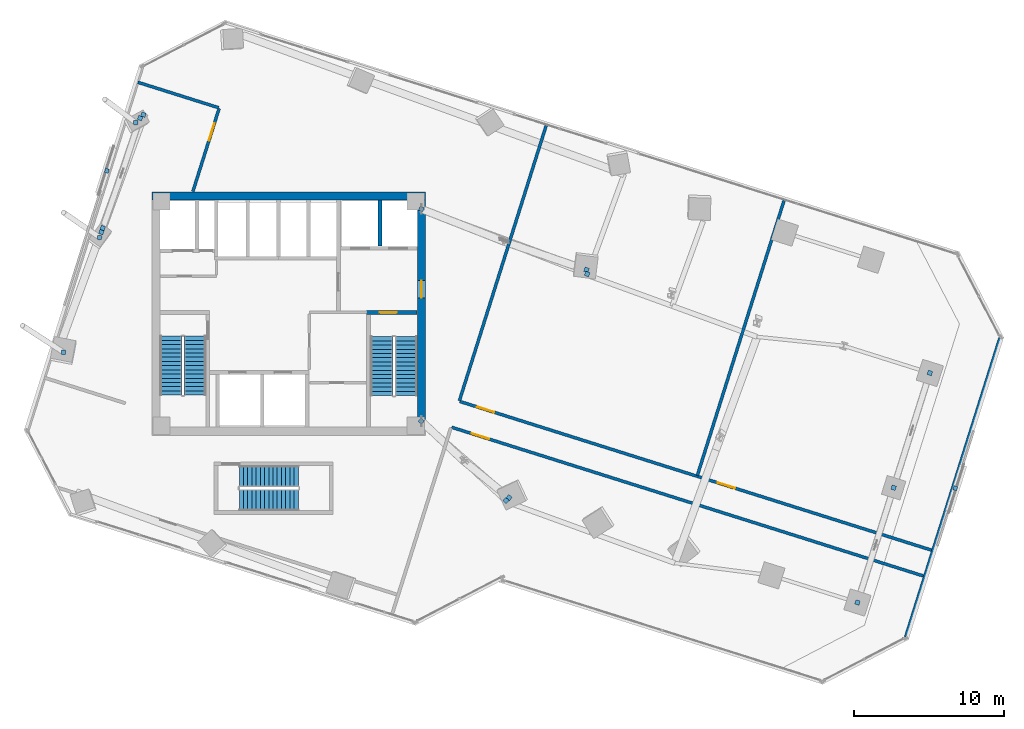
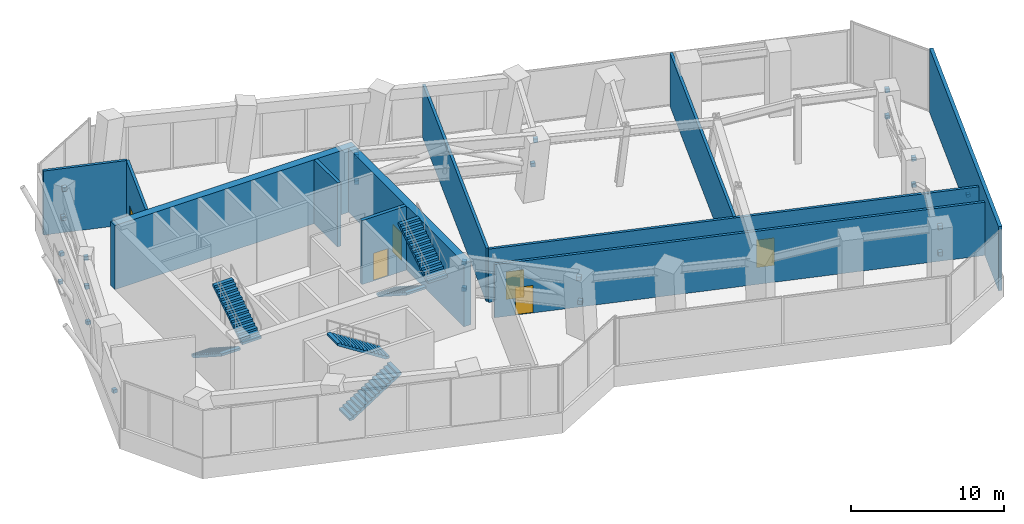
# One storey, part 24 of 29: 23 discrete accessories, 11 walls, 6 doors, 6 stair flights, 6 openings, 3 elements without a shape of their own.
"""IFC4 building model written with IfcOpenShell, lengths in metres."""

from ifc_helpers import new_model, si_unit, direction, frame, frame_2d, origin, origin_2d, place, context, subcontext, project, spatial, polyline, rectangle, outline, extrude, source, transform, mapped, material, layer, layer_set, type_object, element, fill, aggregate, save


model = new_model("IFC4")

# Units and contexts
model_context = context("Model", 3, precision=1e-05, world=origin(), true_north=direction((0.0, 1.0)))
body_context = subcontext(model_context, "Body", "Model", "MODEL_VIEW")
ifc_project = project(units=[si_unit("LENGTHUNIT", "METRE"), si_unit("AREAUNIT", "SQUARE_METRE"), si_unit("VOLUMEUNIT", "CUBIC_METRE"), si_unit("PLANEANGLEUNIT", "RADIAN"), si_unit("MASSUNIT", "GRAM", prefix="KILO")], contexts=[model_context])

# Site, building, storey
site_placement = place(None, origin())
site = spatial("IfcSite", under=ifc_project, at=site_placement, CompositionType="ELEMENT")
building_placement = place(site_placement, origin())
building = spatial("IfcBuilding", under=site, at=building_placement, Name="Torre Montelarca", CompositionType="ELEMENT")
storey_placement = place(building_placement, frame((0.0, 0.0, 122.199951171875)))
storey = spatial("IfcBuildingStorey", under=building, at=storey_placement, Name="L27", CompositionType="ELEMENT", Elevation=122.199951171875)

# Wall, opening, door
ifc_material_1 = material(Name="Concrete C40/50", Category="concrete")
ifc_layer_1 = layer(ifc_material_1, 0.25, Name="Concrete C40/50", Category="concrete")
ifc_layer_set_1 = layer_set([ifc_layer_1], Name="Concrete C40/50")
wall_type_1 = type_object("IfcWallType", Name="CW-SHAFT-250", PredefinedType="SHEAR", material=ifc_layer_set_1)
wall_1_placement = place(storey_placement, frame((23.18994140625, 32.074951171875, 0.0), z_axis=(0.0, 0.0, 1.0), x_axis=(1.0, 0.0, 0.0)))
wall_1 = element("IfcWall", 1, at=wall_1_placement, inside=storey, type_object=wall_type_1, Name="L27 Core Shear Wall SH-ST2-N", PredefinedType="SHEAR", context=body_context, shape_type="SweptSolid", body=[
    extrude(rectangle(XDim=3.35009765625, YDim=0.25, at=frame_2d((1.675048828125, 0.0))), origin(), (0.0, 0.0, 1.0), 5.1201171875),
])
opening_1_placement = place(wall_1_placement, frame((0.85009765625, 0.0, 0.0)))
opening_1 = element("IfcOpeningElement", 2, at=opening_1_placement, cuts=wall_1, Name="Opening FD-ST1", PredefinedType="OPENING", context=body_context, shape_type="SweptSolid", body=[
    extrude(rectangle(XDim=1.14990234375, YDim=2.199951171875, at=frame_2d((0.574951171875, 1.10009765625))), frame((0.0, 0.135009765625, 0.0), z_axis=(0.0, -1.0, 0.0), x_axis=(1.0, 0.0, 0.0)), (0.0, 0.0, 1.0), 0.27001953125),
])
ifc_material_2 = material(Name="Galvanized steel fire door", Category="steel")
door_type_1 = type_object("IfcDoorType", Name="DR-STAIR-115", OperationType="NOTDEFINED", PredefinedType="DOOR", material=ifc_material_2)
shared_shape_1 = source(origin(), body_context, "Body", "SweptSolid", [
    extrude(rectangle(XDim=1.14990234375, YDim=2.199951171875, at=frame_2d((0.574951171875, 1.10009765625))), frame((0.0, 0.02490234375, 0.0), z_axis=(0.0, -1.0, 0.0), x_axis=(1.0, 0.0, 0.0)), (0.0, 0.0, 1.0), 0.050048828125),
])
door_1_placement = place(opening_1_placement, origin())
door_1 = element("IfcDoor", 3, at=door_1_placement, inside=storey, type_object=door_type_1, Name="L27 Exit Stair ST2 Fire Door", OperationType="SINGLE_SWING_RIGHT", OverallHeight=2.199951171875, OverallWidth=1.14990234375, PredefinedType="DOOR", context=body_context, shape_type="MappedRepresentation", body=[
    mapped(shared_shape_1, transform((0.0, 0.0, 0.0), scale=1.0)),
])
fill(opening_1, door_1)

# Wall
wall_2_placement = place(storey_placement, frame((24.080078125, 36.47998046875, 0.0), z_axis=(0.0, 0.0, 1.0), x_axis=(0.0, 1.0, 0.0)))
element("IfcWall", 4, at=wall_2_placement, inside=storey, type_object=wall_type_1, Name="L27 Core Shear Wall SH-FF-M", PredefinedType="SHEAR", context=body_context, shape_type="SweptSolid", body=[
    extrude(rectangle(XDim=3.06005859375, YDim=0.25, at=frame_2d((1.530029296875, 0.0))), origin(), (0.0, 0.0, 1.0), 5.1201171875),
])

# Wall, opening, door
ifc_material_3 = material(Name="Concrete C70/85", Category="concrete")
ifc_layer_2 = layer(ifc_material_3, 0.550048828125, Name="Concrete C70/85", Category="concrete")
ifc_layer_set_2 = layer_set([ifc_layer_2], Name="Concrete C70/85")
wall_type_2 = type_object("IfcWallType", Name="CW-SHEAR-550", PredefinedType="SHEAR", material=ifc_layer_set_2)
wall_3_placement = place(storey_placement, frame((26.824951171875, 24.449951171875, 0.0), z_axis=(0.0, 0.0, 1.0), x_axis=(0.0, 1.0, 0.0)))
wall_3 = element("IfcWall", 5, at=wall_3_placement, inside=storey, type_object=wall_type_2, Name="L27 Core Shear Wall CW-E", PredefinedType="SHEAR", context=body_context, shape_type="SweptSolid", body=[
    extrude(rectangle(XDim=15.10009765625, YDim=0.550048828125, at=frame_2d((7.550048828125, 0.0))), origin(), (0.0, 0.0, 1.0), 5.1201171875),
])
opening_2_placement = place(wall_3_placement, frame((8.60009765625, 0.0, 0.0)))
opening_2 = element("IfcOpeningElement", 6, at=opening_2_placement, cuts=wall_3, Name="Opening FD-LB1", PredefinedType="OPENING", context=body_context, shape_type="SweptSolid", body=[
    extrude(rectangle(XDim=1.14990234375, YDim=2.199951171875, at=frame_2d((0.574951171875, 1.10009765625))), frame((0.0, 0.28515625, 0.0), z_axis=(0.0, -1.0, 0.0), x_axis=(1.0, 0.0, 0.0)), (0.0, 0.0, 1.0), 0.570068359375),
])
ifc_material_4 = material(Name="Acoustic timber-veneered fire door", Category="wood")
door_type_2 = type_object("IfcDoorType", Name="DR-LOBBY-115", OperationType="NOTDEFINED", PredefinedType="DOOR", material=ifc_material_4)
shared_shape_2 = source(origin(), body_context, "Body", "SweptSolid", [
    extrude(rectangle(XDim=1.14990234375, YDim=2.199951171875, at=frame_2d((0.574951171875, 1.10009765625))), frame((0.0, 0.02490234375, 0.0), z_axis=(0.0, -1.0, 0.0), x_axis=(1.0, 0.0, 0.0)), (0.0, 0.0, 1.0), 0.050048828125),
])
door_2_placement = place(opening_2_placement, origin())
door_2 = element("IfcDoor", 7, at=door_2_placement, inside=storey, type_object=door_type_2, Name="L27 Firefighting Lift Lobby Corridor Fire Door", OperationType="SINGLE_SWING_RIGHT", OverallHeight=2.199951171875, OverallWidth=1.14990234375, PredefinedType="DOOR", context=body_context, shape_type="MappedRepresentation", body=[
    mapped(shared_shape_2, transform((0.0, 0.0, 0.0), scale=1.0)),
])
fill(opening_2, door_2)

# Walls
wall_4_placement = place(storey_placement, frame((8.89990234375, 39.824951171875, 0.0), z_axis=(0.0, 0.0, 1.0), x_axis=(1.0, 0.0, 0.0)))
element("IfcWall", 8, at=wall_4_placement, inside=storey, type_object=wall_type_2, Name="L27 Core Shear Wall CW-N1", PredefinedType="SHEAR", context=body_context, shape_type="SweptSolid", body=[
    extrude(rectangle(XDim=18.2001953125, YDim=0.550048828125, at=frame_2d((9.10009765625, 0.0))), origin(), (0.0, 0.0, 1.0), 5.1201171875),
])
ifc_material_5 = material(Name="Precast concrete C45/55", Category="concrete")
ifc_layer_3 = layer(ifc_material_5, 0.25, Name="Precast concrete C45/55", Category="concrete")
ifc_layer_set_3 = layer_set([ifc_layer_3], Name="Precast concrete C45/55")
wall_type_3 = type_object("IfcWallType", Name="EW-CONC-250", PredefinedType="SOLIDWALL", material=ifc_layer_set_3)
wall_5_placement = place(storey_placement, frame((59.036865234375, 10.482421875, 0.0), z_axis=(0.0, 0.0, 1.0), x_axis=(0.300700770817, 0.953718536273, 0.0)))
element("IfcWall", 9, at=wall_5_placement, inside=storey, type_object=wall_type_3, Name="L27 Mechanical Belt-Truss Louvre Wall E06", PredefinedType="SOLIDWALL", context=body_context, shape_type="SweptSolid", body=[
    extrude(rectangle(XDim=20.868408203125, YDim=0.25, at=frame_2d((10.43408203125, 0.0))), origin(), (0.0, 0.0, 1.0), 5.1201171875),
])

# Wall, opening, door
ifc_material_6 = material(Name="Gypsum fireboard and rockwool on steel stud", Category="steel")
ifc_layer_4 = layer(ifc_material_6, 0.199951171875, Name="Gypsum fireboard and rockwool on steel stud", Category="steel")
ifc_layer_set_4 = layer_set([ifc_layer_4], Name="Gypsum fireboard and rockwool on steel stud")
wall_type_4 = type_object("IfcWallType", Name="PW-FIRE-200", PredefinedType="SOLIDWALL", material=ifc_layer_set_4)
wall_6_placement = place(storey_placement, frame((28.83740234375, 24.44384765625, 0.0), z_axis=(0.0, 0.0, 1.0), x_axis=(0.953717618417, -0.300703681921, 0.0)))
wall_6 = element("IfcWall", 10, at=wall_6_placement, inside=storey, type_object=wall_type_4, Name="L27 Interior Partition W-L27-CHILN", PredefinedType="SOLIDWALL", context=body_context, shape_type="SweptSolid", body=[
    extrude(rectangle(XDim=32.949951171875, YDim=0.199951171875, at=frame_2d((16.47509765625, 0.0))), origin(), (0.0, 0.0, 1.0), 4.255126953125),
])
opening_3_placement = place(wall_6_placement, frame((1.39990234375, 0.0, 0.0)))
opening_3 = element("IfcOpeningElement", 11, at=opening_3_placement, cuts=wall_6, Name="Opening FD-120", PredefinedType="OPENING", context=body_context, shape_type="SweptSolid", body=[
    extrude(rectangle(XDim=1.199951171875, YDim=2.199951171875, at=frame_2d((0.60009765625, 1.10009765625))), frame((0.0, 0.10986328125, 0.0), z_axis=(0.0, -1.0, 0.0), x_axis=(1.0, 0.0, 0.0)), (0.0, 0.0, 1.0), 0.219970703125),
])
door_type_3 = type_object("IfcDoorType", Name="DR-FIRE-120", OperationType="NOTDEFINED", PredefinedType="DOOR", material=ifc_material_2)
shared_shape_3 = source(origin(), body_context, "Body", "SweptSolid", [
    extrude(rectangle(XDim=1.199951171875, YDim=2.199951171875, at=frame_2d((0.60009765625, 1.10009765625))), frame((0.0, 0.02490234375, 0.0), z_axis=(0.0, -1.0, 0.0), x_axis=(1.0, 0.0, 0.0)), (0.0, 0.0, 1.0), 0.050048828125),
])
door_3_placement = place(opening_3_placement, origin())
door_3 = element("IfcDoor", 12, at=door_3_placement, inside=storey, type_object=door_type_3, Name="L27 Interior Door 05", OperationType="SINGLE_SWING_RIGHT", OverallHeight=2.199951171875, OverallWidth=1.199951171875, PredefinedType="DOOR", context=body_context, shape_type="MappedRepresentation", body=[
    mapped(shared_shape_3, transform((0.0, 0.0, 0.0), scale=1.0)),
])
fill(opening_3, door_3)

# Wall
wall_7_placement = place(storey_placement, frame((29.3525390625, 26.210693359375, 0.0), z_axis=(0.0, 0.0, 1.0), x_axis=(0.30070490737, 0.953717232037, 0.0)))
element("IfcWall", 13, at=wall_7_placement, inside=storey, type_object=wall_type_4, Name="L27 Interior Partition W-L27-PAHUW", PredefinedType="SOLIDWALL", context=body_context, shape_type="SweptSolid", body=[
    extrude(rectangle(XDim=19.18017578125, YDim=0.199951171875, at=frame_2d((9.590087890625, 0.0))), origin(), (0.0, 0.0, 1.0), 4.255126953125),
])

# Wall, openings, doors
wall_8_placement = place(storey_placement, frame((29.378662109375, 26.16064453125, 0.0), z_axis=(0.0, 0.0, 1.0), x_axis=(0.953715493479, -0.300710421334, 0.0)))
wall_8 = element("IfcWall", 14, at=wall_8_placement, inside=storey, type_object=wall_type_4, Name="L27 Interior Partition W-L27-AHUS", PredefinedType="SOLIDWALL", context=body_context, shape_type="SweptSolid", body=[
    extrude(rectangle(XDim=32.9501953125, YDim=0.199951171875, at=frame_2d((16.47509765625, 0.0))), origin(), (0.0, 0.0, 1.0), 4.255126953125),
])
opening_4_placement = place(wall_8_placement, frame((1.199951171875, 0.0, 0.0)))
opening_4 = element("IfcOpeningElement", 15, at=opening_4_placement, cuts=wall_8, Name="Opening FD-120", PredefinedType="OPENING", context=body_context, shape_type="SweptSolid", body=[
    extrude(rectangle(XDim=1.199951171875, YDim=2.199951171875, at=frame_2d((0.60009765625, 1.10009765625))), frame((0.0, 0.10986328125, 0.0), z_axis=(0.0, -1.0, 0.0), x_axis=(1.0, 0.0, 0.0)), (0.0, 0.0, 1.0), 0.219970703125),
])
opening_5_placement = place(wall_8_placement, frame((17.97998046875, 0.0, 0.0)))
opening_5 = element("IfcOpeningElement", 16, at=opening_5_placement, cuts=wall_8, Name="Opening FD-120", PredefinedType="OPENING", context=body_context, shape_type="SweptSolid", body=[
    extrude(rectangle(XDim=1.199951171875, YDim=2.199951171875, at=frame_2d((0.60009765625, 1.10009765625))), frame((0.0, 0.10986328125, 0.0), z_axis=(0.0, -1.0, 0.0), x_axis=(1.0, 0.0, 0.0)), (0.0, 0.0, 1.0), 0.219970703125),
])
door_4_placement = place(opening_4_placement, origin())
door_4 = element("IfcDoor", 17, at=door_4_placement, inside=storey, type_object=door_type_3, Name="L27 Interior Door 06", OperationType="SINGLE_SWING_RIGHT", OverallHeight=2.199951171875, OverallWidth=1.199951171875, PredefinedType="DOOR", context=body_context, shape_type="MappedRepresentation", body=[
    mapped(shared_shape_3, transform((0.0, 0.0, 0.0), scale=1.0)),
])
fill(opening_4, door_4)
door_5_placement = place(opening_5_placement, origin())
door_5 = element("IfcDoor", 18, at=door_5_placement, inside=storey, type_object=door_type_3, Name="L27 Interior Door 07", OperationType="SINGLE_SWING_LEFT", OverallHeight=2.199951171875, OverallWidth=1.199951171875, PredefinedType="DOOR", context=body_context, shape_type="MappedRepresentation", body=[
    mapped(shared_shape_3, transform((0.0, 0.0, 0.0), scale=1.0)),
])
fill(opening_5, door_5)

# Walls
wall_9_placement = place(storey_placement, frame((45.165283203125, 21.22509765625, 0.0), z_axis=(0.0, 0.0, 1.0), x_axis=(0.300708557869, 0.953716081035, 0.0)))
element("IfcWall", 19, at=wall_9_placement, inside=storey, type_object=wall_type_4, Name="L27 Interior Partition W-L27-AHUD", PredefinedType="SOLIDWALL", context=body_context, shape_type="SweptSolid", body=[
    extrude(rectangle(XDim=19.179931640625, YDim=0.199951171875, at=frame_2d((9.58984375, 0.0))), origin(), (0.0, 0.0, 1.0), 4.255126953125),
])
wall_10_placement = place(storey_placement, frame((7.978271484375, 47.377685546875, 0.0), z_axis=(0.0, 0.0, 1.0), x_axis=(0.953725426277, -0.300678917241, 0.0)))
element("IfcWall", 20, at=wall_10_placement, inside=storey, type_object=wall_type_4, Name="L27 Interior Partition W-L27-ELECN", PredefinedType="SOLIDWALL", context=body_context, shape_type="SweptSolid", body=[
    extrude(rectangle(XDim=5.630126953125, YDim=0.199951171875, at=frame_2d((2.81494140625, 0.0))), origin(), (0.0, 0.0, 1.0), 5.1201171875),
])

# Wall, opening, door
wall_11_placement = place(storey_placement, frame((11.634521484375, 40.1181640625, 0.0), z_axis=(0.0, 0.0, 1.0), x_axis=(0.300686932812, 0.953722899188, 0.0)))
wall_11 = element("IfcWall", 21, at=wall_11_placement, inside=storey, type_object=wall_type_4, Name="L27 Interior Partition W-L27-ELECE", PredefinedType="SOLIDWALL", context=body_context, shape_type="SweptSolid", body=[
    extrude(rectangle(XDim=5.7841796875, YDim=0.199951171875, at=frame_2d((2.89208984375, 0.0))), origin(), (0.0, 0.0, 1.0), 5.1201171875),
])
opening_6_placement = place(wall_11_placement, frame((3.56005859375, 0.0, 0.0)))
opening_6 = element("IfcOpeningElement", 22, at=opening_6_placement, cuts=wall_11, Name="Opening FD-120", PredefinedType="OPENING", context=body_context, shape_type="SweptSolid", body=[
    extrude(rectangle(XDim=1.199951171875, YDim=2.199951171875, at=frame_2d((0.60009765625, 1.10009765625))), frame((0.0, 0.10986328125, 0.0), z_axis=(0.0, -1.0, 0.0), x_axis=(1.0, 0.0, 0.0)), (0.0, 0.0, 1.0), 0.219970703125),
])
door_6_placement = place(opening_6_placement, origin())
door_6 = element("IfcDoor", 23, at=door_6_placement, inside=storey, type_object=door_type_3, Name="L27 Interior Door 08", OperationType="SINGLE_SWING_RIGHT", OverallHeight=2.199951171875, OverallWidth=1.199951171875, PredefinedType="DOOR", context=body_context, shape_type="MappedRepresentation", body=[
    mapped(shared_shape_3, transform((0.0, 0.0, 0.0), scale=1.0)),
])
fill(opening_6, door_6)

# Stair, stair flights
stair_type_1 = type_object("IfcStairType", Name="ST-CORE-ST1", PredefinedType="HALF_TURN_STAIR", material=ifc_material_1)
stair_1_placement = place(storey_placement, origin())
stair_1 = element("IfcStair", 24, at=stair_1_placement, inside=storey, type_object=stair_type_1, Name="L27 Protected Exit Stair ST1", PredefinedType="HALF_TURN_STAIR")
stair_flight_type_1 = type_object("IfcStairFlightType", Name="SFL-CORE-ST1", PredefinedType="STRAIGHT", material=ifc_material_1)
stair_flight_1_placement = place(storey_placement, frame((10.175048828125, 30.5, 0.0), z_axis=(0.0, 0.0, 1.0), x_axis=(0.0, -1.0, 0.0)))
stair_flight_1 = element("IfcStairFlight", 25, at=stair_flight_1_placement, type_object=stair_flight_type_1, Name="ST1 flight 1", NumberOfRisers=15, NumberOfTreads=14, PredefinedType="STRAIGHT", RiserHeight=0.18, TreadLength=0.28, context=body_context, shape_type="SweptSolid", body=[
    extrude(outline(polyline([(0.0, 0.0), (0.0, 0.179931640625), (0.280029296875, 0.179931640625), (0.280029296875, 0.360107421875), (0.56005859375, 0.360107421875), (0.56005859375, 0.5400390625), (0.840087890625, 0.5400390625), (0.840087890625, 0.719970703125), (1.1201171875, 0.719970703125), (1.1201171875, 0.89990234375), (1.39990234375, 0.89990234375), (1.39990234375, 1.080078125), (1.679931640625, 1.080078125), (1.679931640625, 1.260009765625), (1.9599609375, 1.260009765625), (1.9599609375, 1.43994140625), (2.239990234375, 1.43994140625), (2.239990234375, 1.6201171875), (2.52001953125, 1.6201171875), (2.52001953125, 1.800048828125), (2.800048828125, 1.800048828125), (2.800048828125, 1.97998046875), (3.080078125, 1.97998046875), (3.080078125, 2.159912109375), (3.360107421875, 2.159912109375), (3.360107421875, 2.340087890625), (3.639892578125, 2.340087890625), (3.639892578125, 2.52001953125), (3.919921875, 2.52001953125), (3.919921875, 2.699951171875), (3.919921875, 2.341796875), (0.277099609375, 0.0), (0.0, 0.0)])), frame((0.0, 0.72509765625, 0.0), z_axis=(0.0, -1.0, 0.0), x_axis=(1.0, 0.0, 0.0)), (0.0, 0.0, 1.0), 1.449951171875),
])
stair_flight_2_placement = place(storey_placement, frame((11.77490234375, 26.580078125, 2.699951171875), z_axis=(0.0, 0.0, 1.0), x_axis=(0.0, 1.0, 0.0)))
stair_flight_2 = element("IfcStairFlight", 26, at=stair_flight_2_placement, type_object=stair_flight_type_1, Name="ST1 flight 2", NumberOfRisers=15, NumberOfTreads=14, PredefinedType="STRAIGHT", RiserHeight=0.18, TreadLength=0.28, context=body_context, shape_type="SweptSolid", body=[
    extrude(outline(polyline([(0.0, 0.0), (0.0, 0.179931640625), (0.280029296875, 0.179931640625), (0.280029296875, 0.360107421875), (0.56005859375, 0.360107421875), (0.56005859375, 0.5400390625), (0.840087890625, 0.5400390625), (0.840087890625, 0.719970703125), (1.1201171875, 0.719970703125), (1.1201171875, 0.89990234375), (1.39990234375, 0.89990234375), (1.39990234375, 1.080078125), (1.679931640625, 1.080078125), (1.679931640625, 1.260009765625), (1.9599609375, 1.260009765625), (1.9599609375, 1.43994140625), (2.239990234375, 1.43994140625), (2.239990234375, 1.6201171875), (2.52001953125, 1.6201171875), (2.52001953125, 1.800048828125), (2.800048828125, 1.800048828125), (2.800048828125, 1.97998046875), (3.080078125, 1.97998046875), (3.080078125, 2.159912109375), (3.360107421875, 2.159912109375), (3.360107421875, 2.340087890625), (3.639892578125, 2.340087890625), (3.639892578125, 2.52001953125), (3.919921875, 2.52001953125), (3.919921875, 2.699951171875), (3.919921875, 2.341796875), (0.277099609375, 0.0), (0.0, 0.0)])), frame((0.0, 0.72509765625, 0.0), z_axis=(0.0, -1.0, 0.0), x_axis=(1.0, 0.0, 0.0)), (0.0, 0.0, 1.0), 1.449951171875),
])
aggregate(stair_1, [stair_flight_1, stair_flight_2])

stair_type_2 = type_object("IfcStairType", Name="ST-CORE-ST2", PredefinedType="HALF_TURN_STAIR", material=ifc_material_1)
stair_2_placement = place(storey_placement, origin())
stair_2 = element("IfcStair", 27, at=stair_2_placement, inside=storey, type_object=stair_type_2, Name="L27 Protected Exit Stair ST2", PredefinedType="HALF_TURN_STAIR")
stair_flight_type_2 = type_object("IfcStairFlightType", Name="SFL-CORE-ST2", PredefinedType="STRAIGHT", material=ifc_material_1)
stair_flight_3_placement = place(storey_placement, frame((24.179931640625, 30.469970703125, 0.0), z_axis=(0.0, 0.0, 1.0), x_axis=(0.0, -1.0, 0.0)))
stair_flight_3 = element("IfcStairFlight", 28, at=stair_flight_3_placement, type_object=stair_flight_type_2, Name="ST2 flight 1", NumberOfRisers=15, NumberOfTreads=14, PredefinedType="STRAIGHT", RiserHeight=0.18, TreadLength=0.28, context=body_context, shape_type="SweptSolid", body=[
    extrude(outline(polyline([(0.0, 0.0), (0.0, 0.179931640625), (0.280029296875, 0.179931640625), (0.280029296875, 0.360107421875), (0.56005859375, 0.360107421875), (0.56005859375, 0.5400390625), (0.840087890625, 0.5400390625), (0.840087890625, 0.719970703125), (1.1201171875, 0.719970703125), (1.1201171875, 0.89990234375), (1.39990234375, 0.89990234375), (1.39990234375, 1.080078125), (1.679931640625, 1.080078125), (1.679931640625, 1.260009765625), (1.9599609375, 1.260009765625), (1.9599609375, 1.43994140625), (2.239990234375, 1.43994140625), (2.239990234375, 1.6201171875), (2.52001953125, 1.6201171875), (2.52001953125, 1.800048828125), (2.800048828125, 1.800048828125), (2.800048828125, 1.97998046875), (3.080078125, 1.97998046875), (3.080078125, 2.159912109375), (3.360107421875, 2.159912109375), (3.360107421875, 2.340087890625), (3.639892578125, 2.340087890625), (3.639892578125, 2.52001953125), (3.919921875, 2.52001953125), (3.919921875, 2.699951171875), (3.919921875, 2.341796875), (0.277099609375, 0.0), (0.0, 0.0)])), frame((0.0, 0.739990234375, 0.0), z_axis=(0.0, -1.0, 0.0), x_axis=(1.0, 0.0, 0.0)), (0.0, 0.0, 1.0), 1.47998046875),
])
stair_flight_4_placement = place(storey_placement, frame((25.81005859375, 26.550048828125, 2.699951171875), z_axis=(0.0, 0.0, 1.0), x_axis=(0.0, 1.0, 0.0)))
stair_flight_4 = element("IfcStairFlight", 29, at=stair_flight_4_placement, type_object=stair_flight_type_2, Name="ST2 flight 2", NumberOfRisers=15, NumberOfTreads=14, PredefinedType="STRAIGHT", RiserHeight=0.18, TreadLength=0.28, context=body_context, shape_type="SweptSolid", body=[
    extrude(outline(polyline([(0.0, 0.0), (0.0, 0.179931640625), (0.280029296875, 0.179931640625), (0.280029296875, 0.360107421875), (0.56005859375, 0.360107421875), (0.56005859375, 0.5400390625), (0.840087890625, 0.5400390625), (0.840087890625, 0.719970703125), (1.1201171875, 0.719970703125), (1.1201171875, 0.89990234375), (1.39990234375, 0.89990234375), (1.39990234375, 1.080078125), (1.679931640625, 1.080078125), (1.679931640625, 1.260009765625), (1.9599609375, 1.260009765625), (1.9599609375, 1.43994140625), (2.239990234375, 1.43994140625), (2.239990234375, 1.6201171875), (2.52001953125, 1.6201171875), (2.52001953125, 1.800048828125), (2.800048828125, 1.800048828125), (2.800048828125, 1.97998046875), (3.080078125, 1.97998046875), (3.080078125, 2.159912109375), (3.360107421875, 2.159912109375), (3.360107421875, 2.340087890625), (3.639892578125, 2.340087890625), (3.639892578125, 2.52001953125), (3.919921875, 2.52001953125), (3.919921875, 2.699951171875), (3.919921875, 2.341796875), (0.277099609375, 0.0), (0.0, 0.0)])), frame((0.0, 0.739990234375, 0.0), z_axis=(0.0, -1.0, 0.0), x_axis=(1.0, 0.0, 0.0)), (0.0, 0.0, 1.0), 1.47998046875),
])
aggregate(stair_2, [stair_flight_3, stair_flight_4])

stair_type_3 = type_object("IfcStairType", Name="ST-CORE-ST3", PredefinedType="HALF_TURN_STAIR", material=ifc_material_1)
stair_3_placement = place(storey_placement, origin())
stair_3 = element("IfcStair", 30, at=stair_3_placement, inside=storey, type_object=stair_type_3, Name="L27 Low-Rise Exit Stair ST3", PredefinedType="HALF_TURN_STAIR")
stair_flight_type_3 = type_object("IfcStairFlightType", Name="SFL-CORE-ST3", PredefinedType="STRAIGHT", material=ifc_material_1)
stair_flight_5_placement = place(storey_placement, frame((14.719970703125, 19.610107421875, 0.0), z_axis=(0.0, 0.0, 1.0), x_axis=(1.0, 0.0, 0.0)))
stair_flight_5 = element("IfcStairFlight", 31, at=stair_flight_5_placement, type_object=stair_flight_type_3, Name="ST3 flight 1", NumberOfRisers=15, NumberOfTreads=14, PredefinedType="STRAIGHT", RiserHeight=0.18, TreadLength=0.28, context=body_context, shape_type="SweptSolid", body=[
    extrude(outline(polyline([(0.0, 0.0), (0.0, 0.179931640625), (0.280029296875, 0.179931640625), (0.280029296875, 0.360107421875), (0.56005859375, 0.360107421875), (0.56005859375, 0.5400390625), (0.840087890625, 0.5400390625), (0.840087890625, 0.719970703125), (1.1201171875, 0.719970703125), (1.1201171875, 0.89990234375), (1.39990234375, 0.89990234375), (1.39990234375, 1.080078125), (1.679931640625, 1.080078125), (1.679931640625, 1.260009765625), (1.9599609375, 1.260009765625), (1.9599609375, 1.43994140625), (2.239990234375, 1.43994140625), (2.239990234375, 1.6201171875), (2.52001953125, 1.6201171875), (2.52001953125, 1.800048828125), (2.800048828125, 1.800048828125), (2.800048828125, 1.97998046875), (3.080078125, 1.97998046875), (3.080078125, 2.159912109375), (3.360107421875, 2.159912109375), (3.360107421875, 2.340087890625), (3.639892578125, 2.340087890625), (3.639892578125, 2.52001953125), (3.919921875, 2.52001953125), (3.919921875, 2.699951171875), (3.919921875, 2.341796875), (0.277099609375, 0.0), (0.0, 0.0)])), frame((0.0, 0.7099609375, 0.0), z_axis=(0.0, -1.0, 0.0), x_axis=(1.0, 0.0, 0.0)), (0.0, 0.0, 1.0), 1.419921875),
])
stair_flight_6_placement = place(storey_placement, frame((18.639892578125, 21.179931640625, 2.699951171875), z_axis=(0.0, 0.0, 1.0), x_axis=(-1.0, 0.0, 0.0)))
stair_flight_6 = element("IfcStairFlight", 32, at=stair_flight_6_placement, type_object=stair_flight_type_3, Name="ST3 flight 2", NumberOfRisers=15, NumberOfTreads=14, PredefinedType="STRAIGHT", RiserHeight=0.18, TreadLength=0.28, context=body_context, shape_type="SweptSolid", body=[
    extrude(outline(polyline([(0.0, 0.0), (0.0, 0.179931640625), (0.280029296875, 0.179931640625), (0.280029296875, 0.360107421875), (0.56005859375, 0.360107421875), (0.56005859375, 0.5400390625), (0.840087890625, 0.5400390625), (0.840087890625, 0.719970703125), (1.1201171875, 0.719970703125), (1.1201171875, 0.89990234375), (1.39990234375, 0.89990234375), (1.39990234375, 1.080078125), (1.679931640625, 1.080078125), (1.679931640625, 1.260009765625), (1.9599609375, 1.260009765625), (1.9599609375, 1.43994140625), (2.239990234375, 1.43994140625), (2.239990234375, 1.6201171875), (2.52001953125, 1.6201171875), (2.52001953125, 1.800048828125), (2.800048828125, 1.800048828125), (2.800048828125, 1.97998046875), (3.080078125, 1.97998046875), (3.080078125, 2.159912109375), (3.360107421875, 2.159912109375), (3.360107421875, 2.340087890625), (3.639892578125, 2.340087890625), (3.639892578125, 2.52001953125), (3.919921875, 2.52001953125), (3.919921875, 2.699951171875), (3.919921875, 2.341796875), (0.277099609375, 0.0), (0.0, 0.0)])), frame((0.0, 0.7099609375, 0.0), z_axis=(0.0, -1.0, 0.0), x_axis=(1.0, 0.0, 0.0)), (0.0, 0.0, 1.0), 1.419921875),
])
aggregate(stair_3, [stair_flight_5, stair_flight_6])

# Discrete accessories
ifc_material_7 = material(Name="Stainless steel AISI 316", Category="steel")
discrete_accessory_type = type_object("IfcDiscreteAccessoryType", Name="ACC-BRACKET-SS", PredefinedType="BRACKET", material=ifc_material_7)
shared_shape_4 = source(origin(), body_context, "Body", "SweptSolid", [
    extrude(rectangle(XDim=0.280029296875, YDim=0.280029296875, at=origin_2d()), origin(), (0.0, 0.0, 1.0), 0.280029296875),
])
for number, where, z_axis, x_axis, name in (
    (33, (3.024169921875, 29.437255859375, 0.01025390625), (0.0, 0.0, 1.0), (1.0, 0.0, 0.0), "L28 Raker End Connection Bracket W1-FT"),
    (34, (5.429931640625, 37.06689453125, 0.01025390625), (0.0, 0.0, 1.0), (1.0, 0.0, 0.0), "L28 Raker End Connection Bracket W2-FT"),
    (35, (7.83544921875, 44.696533203125, 0.01025390625), (0.0, 0.0, 1.0), (1.0, 0.0, 0.0), "L28 Raker End Connection Bracket W3-FT"),
):
    element("IfcDiscreteAccessory", number, at=place(storey_placement, frame(where, z_axis=z_axis, x_axis=x_axis)), inside=storey, type_object=discrete_accessory_type, Name=name, PredefinedType="BRACKET", context=body_context, shape_type="MappedRepresentation", body=[
        mapped(shared_shape_4, transform((0.0, 0.0, 0.0), scale=1.0)),
    ])
shared_shape_5 = source(origin(), body_context, "Body", "SweptSolid", [
    extrude(rectangle(XDim=0.300048828125, YDim=0.300048828125, at=origin_2d()), origin(), (0.0, 0.0, 1.0), 0.300048828125),
])
for number, where, z_axis, x_axis, name in (
    (36, (26.820068359375, 24.85009765625, 2.60009765625), (0.0, 0.0, 1.0), (-0.753563392302, 0.657375245794, 0.0), "L27 Outrigger End Connection Bracket 1-CB"),
    (37, (26.820068359375, 24.85009765625, 4.7001953125), (0.0, 0.0, 1.0), (-0.753563392302, 0.657375245794, 0.0), "L27 Outrigger End Connection Bracket 1-CT"),
    (38, (32.6513671875, 19.76220703125, 2.60009765625), (0.0, 0.0, 1.0), (-0.753563392302, 0.657375245794, 0.0), "L27 Outrigger End Connection Bracket 1-WB"),
    (39, (32.44384765625, 19.57275390625, 4.7001953125), (0.0, 0.0, 1.0), (-0.753563392302, 0.657375245794, 0.0), "L27 Outrigger End Connection Bracket 1-WT"),
    (40, (26.820068359375, 38.949951171875, 2.60009765625), (0.0, 0.0, 1.0), (-0.938432742561, 0.345461991671, 0.0), "L27 Outrigger End Connection Bracket 2-CB"),
    (41, (26.820068359375, 38.949951171875, 4.7001953125), (0.0, 0.0, 1.0), (-0.938432742561, 0.345461991671, 0.0), "L27 Outrigger End Connection Bracket 2-CT"),
    (42, (37.79931640625, 34.9072265625, 2.60009765625), (0.0, 0.0, 1.0), (-0.938432742561, 0.345461991671, 0.0), "L27 Outrigger End Connection Bracket 2-WB"),
    (43, (37.8486328125, 34.630615234375, 4.7001953125), (0.0, 0.0, 1.0), (-0.938432742561, 0.345461991671, 0.0), "L27 Outrigger End Connection Bracket 2-WT"),
    (44, (5.55029296875, 37.42138671875, 2.60009765625), (0.0, 0.0, 1.0), (0.321769986684, 0.946817868267, 0.0), "L27 Belt-Truss End Connection Bracket 1-B0"),
    (45, (8.1240234375, 44.993896484375, 2.60009765625), (0.0, 0.0, 1.0), (0.321769986684, 0.946817868267, 0.0), "L27 Belt-Truss End Connection Bracket 1-B1"),
    (46, (5.64208984375, 37.692138671875, 4.7001953125), (0.0, 0.0, 1.0), (0.321769986684, 0.946817868267, 0.0), "L27 Belt-Truss End Connection Bracket 1-T0"),
    (47, (8.344482421875, 45.22119140625, 4.7001953125), (0.0, 0.0, 1.0), (0.321769986684, 0.946817868267, 0.0), "L27 Belt-Truss End Connection Bracket 1-T1"),
    (48, (55.8125, 12.793212890625, 2.60009765625), (0.0, 0.0, 1.0), (0.300705799504, 0.953716950748, 0.0), "L27 Belt-Truss End Connection Bracket 2-B0"),
    (49, (58.218017578125, 20.4228515625, 2.60009765625), (0.0, 0.0, 1.0), (0.300705799504, 0.953716950748, 0.0), "L27 Belt-Truss End Connection Bracket 2-B1"),
    (50, (55.8125, 12.793212890625, 4.7001953125), (0.0, 0.0, 1.0), (0.300705799504, 0.953716950748, 0.0), "L27 Belt-Truss End Connection Bracket 2-T0"),
    (51, (58.218017578125, 20.4228515625, 4.7001953125), (0.0, 0.0, 1.0), (0.300705799504, 0.953716950748, 0.0), "L27 Belt-Truss End Connection Bracket 2-T1"),
    (52, (60.623779296875, 28.052490234375, 2.60009765625), (0.0, 0.0, 1.0), (0.300705799504, 0.953716950748, 0.0), "L27 Belt-Truss End Connection Bracket 3-B1"),
    (53, (60.623779296875, 28.052490234375, 4.7001953125), (0.0, 0.0, 1.0), (0.300705799504, 0.953716950748, 0.0), "L27 Belt-Truss End Connection Bracket 3-T1"),
):
    element("IfcDiscreteAccessory", number, at=place(storey_placement, frame(where, z_axis=z_axis, x_axis=x_axis)), inside=storey, type_object=discrete_accessory_type, Name=name, PredefinedType="BRACKET", context=body_context, shape_type="MappedRepresentation", body=[
        mapped(shared_shape_5, transform((0.0, 0.0, 0.0), scale=1.0)),
    ])
shared_shape_6 = source(origin(), body_context, "Body", "SweptSolid", [
    extrude(rectangle(XDim=0.280029296875, YDim=0.260009765625, at=origin_2d()), origin(), (0.0, 0.0, 1.0), 0.239990234375),
])
for number, where, z_axis, x_axis, name in (
    (54, (62.3173828125, 20.388427734375, 0.39990234375), (0.0, 0.0, 1.0), (0.300709128603, 0.953715901081, 0.0), "L27 Solar Screen Support Bracket E6-1"),
    (55, (5.913330078125, 41.493896484375, 0.39990234375), (0.0, 0.0, 1.0), (-0.300709128603, -0.953715901081, 0.0), "L27 Solar Screen Support Bracket E10-1"),
):
    element("IfcDiscreteAccessory", number, at=place(storey_placement, frame(where, z_axis=z_axis, x_axis=x_axis)), inside=storey, type_object=discrete_accessory_type, Name=name, PredefinedType="BRACKET", context=body_context, shape_type="MappedRepresentation", body=[
        mapped(shared_shape_6, transform((0.0, 0.0, 0.0), scale=1.0)),
    ])

save(model, "model.ifc")
